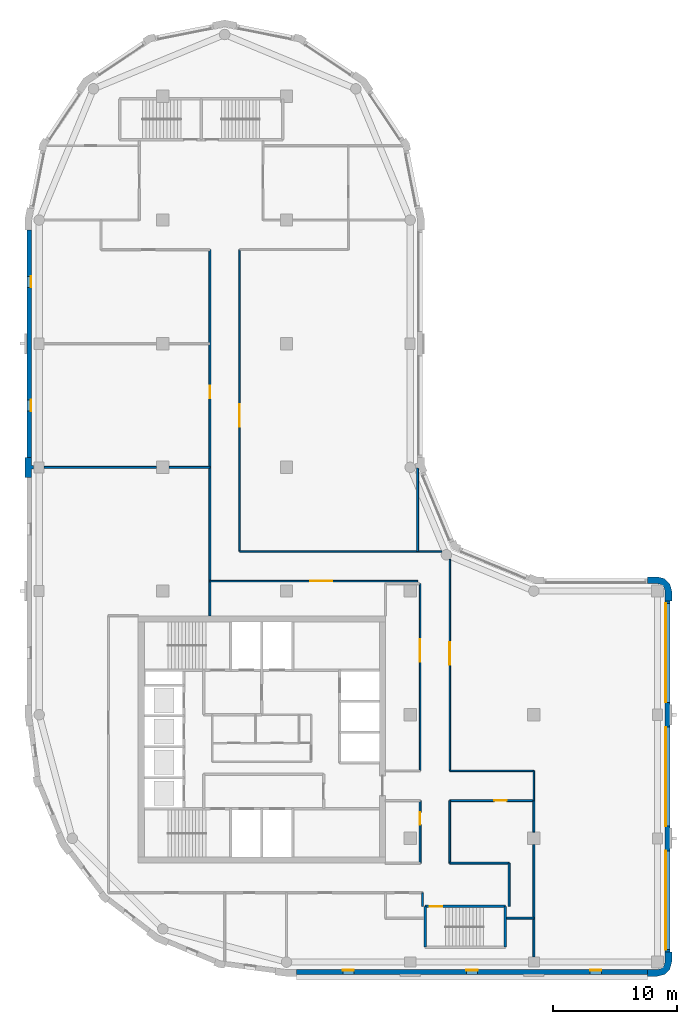
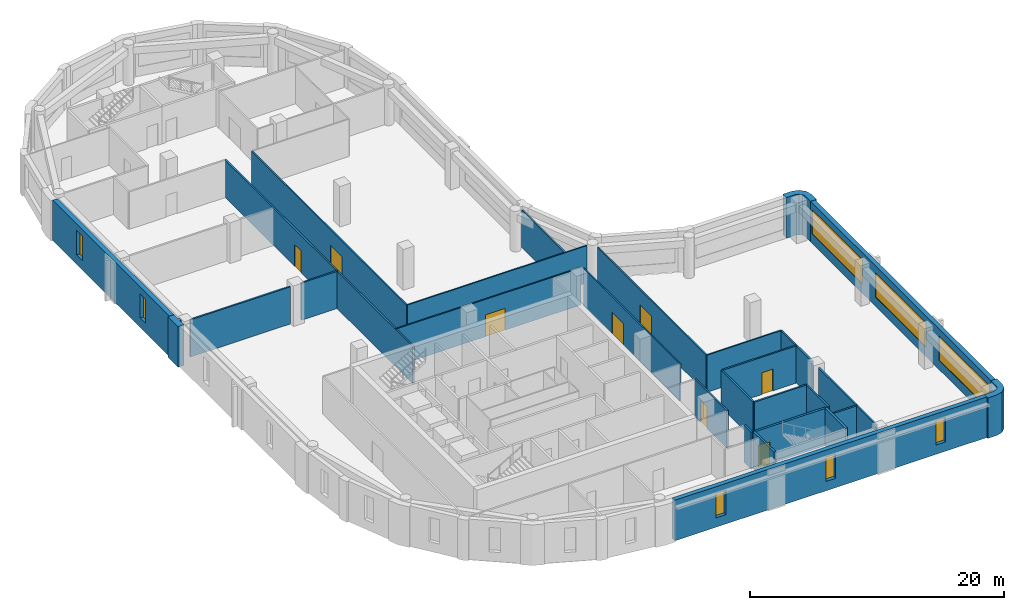
# One storey, part 4 of 9: 29 walls, 8 doors, 8 windows, 16 openings.
"""IFC4 building model written with IfcOpenShell, lengths in metres."""

from ifc_helpers import new_model, si_unit, direction, frame, frame_2d, origin, place, context, subcontext, project, spatial, polyline, rectangle, outline, extrude, material, layer, layer_set, type_object, element, fill, save


model = new_model("IFC4")

# Units and contexts
model_context = context("Model", 3, precision=1e-05, world=origin(), true_north=direction((0.0, 1.0)))
body_context = subcontext(model_context, "Body", "Model", "MODEL_VIEW")
ifc_project = project(units=[si_unit("LENGTHUNIT", "METRE"), si_unit("AREAUNIT", "SQUARE_METRE"), si_unit("VOLUMEUNIT", "CUBIC_METRE"), si_unit("PLANEANGLEUNIT", "RADIAN"), si_unit("MASSUNIT", "GRAM", prefix="KILO")], contexts=[model_context])

# Site, building, storey
site_placement = place(None, origin())
site = spatial("IfcSite", under=ifc_project, at=site_placement, CompositionType="ELEMENT")
building_placement = place(site_placement, origin())
building = spatial("IfcBuilding", under=site, at=building_placement, Name="Qaws Garden Tower", CompositionType="ELEMENT")
storey_placement = place(building_placement, frame((0.0, 0.0, 259.199951171875)))
storey = spatial("IfcBuildingStorey", under=building, at=storey_placement, Name="L62", CompositionType="ELEMENT", Elevation=259.199951171875)

# Walls
ifc_material_1 = material(Name="Clay facing brick masonry", Category="masonry")
ifc_layer_1 = layer(ifc_material_1, 0.550048828125)
ifc_layer_set_1 = layer_set([ifc_layer_1], Name="Clay facing brick masonry")
wall_type_1 = type_object("IfcWallType", Name="Brick corner pier 550 x 2400", PredefinedType="SOLIDWALL", material=ifc_layer_set_1)
placement = place(storey_placement, origin())
element("IfcWall", 1, at=placement, inside=storey, type_object=wall_type_1, Name="E-L62-pier-03", PredefinedType="SOLIDWALL", context=body_context, shape_type="SweptSolid", body=[
    extrude(outline(polyline([(49.199951171875, -1.0), (49.199951171875, -1.14990234375), (50.0, -1.14990234375), (50.574951171875, -0.995849609375), (50.995849609375, -0.574951171875), (51.14990234375, 0.0), (51.14990234375, 0.800048828125), (51.0, 0.800048828125), (50.60009765625, 0.800048828125), (50.60009765625, 0.0), (50.51953125, -0.300048828125), (50.300048828125, -0.51953125), (50.0, -0.60009765625), (49.199951171875, -0.60009765625), (49.199951171875, -1.0)])), origin(), (0.0, 0.0, 1.0), 3.900146484375),
])
element("IfcWall", 2, at=placement, inside=storey, type_object=wall_type_1, Name="E-L62-pier-06", PredefinedType="SOLIDWALL", context=body_context, shape_type="SweptSolid", body=[
    extrude(outline(polyline([(51.0, 29.199951171875), (51.14990234375, 29.199951171875), (51.14990234375, 30.0), (50.995849609375, 30.574951171875), (50.574951171875, 30.995849609375), (50.0, 31.14990234375), (49.199951171875, 31.14990234375), (49.199951171875, 31.0), (49.199951171875, 30.60009765625), (50.0, 30.60009765625), (50.300048828125, 30.51953125), (50.51953125, 30.300048828125), (50.60009765625, 30.0), (50.60009765625, 29.199951171875), (51.0, 29.199951171875)])), origin(), (0.0, 0.0, 1.0), 3.900146484375),
])

# Wall, openings, windows
ifc_material_2 = material(Name="Clay facing brick masonry", Category="masonry")
ifc_layer_2 = layer(ifc_material_2, 0.39990234375)
ifc_layer_set_2 = layer_set([ifc_layer_2], Name="Clay facing brick masonry")
wall_type_2 = type_object("IfcWallType", Name="Brick infill wall 400", PredefinedType="SOLIDWALL", material=ifc_layer_set_2)
wall_3_placement = place(storey_placement, frame((20.800048828125, -0.800048828125, 0.0), z_axis=(0.0, 0.0, 1.0), x_axis=(1.0, 0.0, 0.0)))
wall_3 = element("IfcWall", 3, at=wall_3_placement, inside=storey, type_object=wall_type_2, Name="E-L62-infill-00", PredefinedType="SOLIDWALL", context=body_context, shape_type="SweptSolid", body=[
    extrude(rectangle(XDim=28.39990234375, YDim=0.39990234375, at=frame_2d((14.199951171875, 0.0))), origin(), (0.0, 0.0, 1.0), 3.900146484375),
])
opening_1_placement = place(wall_3_placement, frame((3.75, 0.0, 0.89990234375)))
opening_1 = element("IfcOpeningElement", 4, at=opening_1_placement, cuts=wall_3, Name="Opening W09", PredefinedType="OPENING", context=body_context, shape_type="SweptSolid", body=[
    extrude(rectangle(XDim=0.89990234375, YDim=2.35009765625, at=frame_2d((0.449951171875, 1.175048828125))), frame((0.0, 0.2099609375, 0.0), z_axis=(0.0, -1.0, 0.0), x_axis=(1.0, 0.0, 0.0)), (0.0, 0.0, 1.0), 0.419921875),
])
opening_2_placement = place(wall_3_placement, frame((13.75, 0.0, 0.89990234375)))
opening_2 = element("IfcOpeningElement", 5, at=opening_2_placement, cuts=wall_3, Name="Opening W09", PredefinedType="OPENING", context=body_context, shape_type="SweptSolid", body=[
    extrude(rectangle(XDim=0.89990234375, YDim=2.35009765625, at=frame_2d((0.449951171875, 1.175048828125))), frame((0.0, 0.2099609375, 0.0), z_axis=(0.0, -1.0, 0.0), x_axis=(1.0, 0.0, 0.0)), (0.0, 0.0, 1.0), 0.419921875),
])
opening_3_placement = place(wall_3_placement, frame((23.75, 0.0, 0.89990234375)))
opening_3 = element("IfcOpeningElement", 6, at=opening_3_placement, cuts=wall_3, Name="Opening W09", PredefinedType="OPENING", context=body_context, shape_type="SweptSolid", body=[
    extrude(rectangle(XDim=0.89990234375, YDim=2.35009765625, at=frame_2d((0.449951171875, 1.175048828125))), frame((0.0, 0.2099609375, 0.0), z_axis=(0.0, -1.0, 0.0), x_axis=(1.0, 0.0, 0.0)), (0.0, 0.0, 1.0), 0.419921875),
])
ifc_material_3 = material(Name="Aluminium framed window, clear glazing", Category="aluminium")
window_type_1 = type_object("IfcWindowType", Name="Slit window 900 x 2350", PartitioningType="SINGLE_PANEL", PredefinedType="WINDOW", material=ifc_material_3)
window_1_placement = place(opening_1_placement, origin())
window_1 = element("IfcWindow", 7, at=window_1_placement, inside=storey, type_object=window_type_1, Name="E-L62-window-00-0", OverallHeight=2.35009765625, OverallWidth=0.89990234375, PartitioningType="SINGLE_PANEL", PredefinedType="WINDOW", context=body_context, shape_type="SweptSolid", body=[
    extrude(rectangle(XDim=0.89990234375, YDim=2.35009765625, at=frame_2d((0.449951171875, 1.175048828125))), frame((0.0, 0.159912109375, 0.0), z_axis=(0.0, -1.0, 0.0), x_axis=(1.0, 0.0, 0.0)), (0.0, 0.0, 1.0), 0.06005859375),
])
fill(opening_1, window_1)
window_2_placement = place(opening_2_placement, origin())
window_2 = element("IfcWindow", 8, at=window_2_placement, inside=storey, type_object=window_type_1, Name="E-L62-window-01-0", OverallHeight=2.35009765625, OverallWidth=0.89990234375, PartitioningType="SINGLE_PANEL", PredefinedType="WINDOW", context=body_context, shape_type="SweptSolid", body=[
    extrude(rectangle(XDim=0.89990234375, YDim=2.35009765625, at=frame_2d((0.449951171875, 1.175048828125))), frame((0.0, 0.159912109375, 0.0), z_axis=(0.0, -1.0, 0.0), x_axis=(1.0, 0.0, 0.0)), (0.0, 0.0, 1.0), 0.06005859375),
])
fill(opening_2, window_2)
window_3_placement = place(opening_3_placement, origin())
window_3 = element("IfcWindow", 9, at=window_3_placement, inside=storey, type_object=window_type_1, Name="E-L62-window-02-0", OverallHeight=2.35009765625, OverallWidth=0.89990234375, PartitioningType="SINGLE_PANEL", PredefinedType="WINDOW", context=body_context, shape_type="SweptSolid", body=[
    extrude(rectangle(XDim=0.89990234375, YDim=2.35009765625, at=frame_2d((0.449951171875, 1.175048828125))), frame((0.0, 0.159912109375, 0.0), z_axis=(0.0, -1.0, 0.0), x_axis=(1.0, 0.0, 0.0)), (0.0, 0.0, 1.0), 0.06005859375),
])
fill(opening_3, window_3)

wall_4_placement = place(storey_placement, frame((50.800048828125, 0.800048828125, 0.0), z_axis=(0.0, 0.0, 1.0), x_axis=(0.0, 1.0, 0.0)))
wall_4 = element("IfcWall", 10, at=wall_4_placement, inside=storey, type_object=wall_type_2, Name="E-L62-infill-03", PredefinedType="SOLIDWALL", context=body_context, shape_type="SweptSolid", body=[
    extrude(rectangle(XDim=28.39990234375, YDim=0.39990234375, at=frame_2d((14.199951171875, 0.0))), origin(), (0.0, 0.0, 1.0), 3.900146484375),
])
opening_4_placement = place(wall_4_placement, frame((0.199951171875, 0.0, 0.89990234375)))
opening_4 = element("IfcOpeningElement", 11, at=opening_4_placement, cuts=wall_4, Name="Opening W01", PredefinedType="OPENING", context=body_context, shape_type="SweptSolid", body=[
    extrude(rectangle(XDim=8.0, YDim=2.35009765625, at=frame_2d((4.0, 1.175048828125))), frame((0.0, 0.2099609375, 0.0), z_axis=(0.0, -1.0, 0.0), x_axis=(1.0, 0.0, 0.0)), (0.0, 0.0, 1.0), 0.419921875),
])
opening_5_placement = place(wall_4_placement, frame((10.199951171875, 0.0, 0.89990234375)))
opening_5 = element("IfcOpeningElement", 12, at=opening_5_placement, cuts=wall_4, Name="Opening W01", PredefinedType="OPENING", context=body_context, shape_type="SweptSolid", body=[
    extrude(rectangle(XDim=8.0, YDim=2.35009765625, at=frame_2d((4.0, 1.175048828125))), frame((0.0, 0.2099609375, 0.0), z_axis=(0.0, -1.0, 0.0), x_axis=(1.0, 0.0, 0.0)), (0.0, 0.0, 1.0), 0.419921875),
])
opening_6_placement = place(wall_4_placement, frame((20.199951171875, 0.0, 0.89990234375)))
opening_6 = element("IfcOpeningElement", 13, at=opening_6_placement, cuts=wall_4, Name="Opening W01", PredefinedType="OPENING", context=body_context, shape_type="SweptSolid", body=[
    extrude(rectangle(XDim=8.0, YDim=2.35009765625, at=frame_2d((4.0, 1.175048828125))), frame((0.0, 0.2099609375, 0.0), z_axis=(0.0, -1.0, 0.0), x_axis=(1.0, 0.0, 0.0)), (0.0, 0.0, 1.0), 0.419921875),
])
ifc_material_4 = material(Name="Aluminium framed window, clear glazing", Category="aluminium")
window_type_2 = type_object("IfcWindowType", Name="Ribbon window 8000 x 2350", PartitioningType="DOUBLE_PANEL_VERTICAL", PredefinedType="WINDOW", material=ifc_material_4)
window_4_placement = place(opening_4_placement, origin())
window_4 = element("IfcWindow", 14, at=window_4_placement, inside=storey, type_object=window_type_2, Name="E-L62-window-03-0", OverallHeight=2.35009765625, OverallWidth=8.0, PartitioningType="SINGLE_PANEL", PredefinedType="WINDOW", context=body_context, shape_type="SweptSolid", body=[
    extrude(rectangle(XDim=8.0, YDim=2.35009765625, at=frame_2d((4.0, 1.175048828125))), frame((0.0, 0.159912109375, 0.0), z_axis=(0.0, -1.0, 0.0), x_axis=(1.0, 0.0, 0.0)), (0.0, 0.0, 1.0), 0.06005859375),
])
fill(opening_4, window_4)
window_5_placement = place(opening_5_placement, origin())
window_5 = element("IfcWindow", 15, at=window_5_placement, inside=storey, type_object=window_type_2, Name="E-L62-window-04-0", OverallHeight=2.35009765625, OverallWidth=8.0, PartitioningType="SINGLE_PANEL", PredefinedType="WINDOW", context=body_context, shape_type="SweptSolid", body=[
    extrude(rectangle(XDim=8.0, YDim=2.35009765625, at=frame_2d((4.0, 1.175048828125))), frame((0.0, 0.159912109375, 0.0), z_axis=(0.0, -1.0, 0.0), x_axis=(1.0, 0.0, 0.0)), (0.0, 0.0, 1.0), 0.06005859375),
])
fill(opening_5, window_5)
window_6_placement = place(opening_6_placement, origin())
window_6 = element("IfcWindow", 16, at=window_6_placement, inside=storey, type_object=window_type_2, Name="E-L62-window-05-0", OverallHeight=2.35009765625, OverallWidth=8.0, PartitioningType="SINGLE_PANEL", PredefinedType="WINDOW", context=body_context, shape_type="SweptSolid", body=[
    extrude(rectangle(XDim=8.0, YDim=2.35009765625, at=frame_2d((4.0, 1.175048828125))), frame((0.0, 0.159912109375, 0.0), z_axis=(0.0, -1.0, 0.0), x_axis=(1.0, 0.0, 0.0)), (0.0, 0.0, 1.0), 0.06005859375),
])
fill(opening_6, window_6)

wall_5_placement = place(storey_placement, frame((-0.800048828125, 59.199951171875, 0.0), z_axis=(0.0, 0.0, 1.0), x_axis=(0.0, -1.0, 0.0)))
wall_5 = element("IfcWall", 17, at=wall_5_placement, inside=storey, type_object=wall_type_2, Name="E-L62-infill-19", PredefinedType="SOLIDWALL", context=body_context, shape_type="SweptSolid", body=[
    extrude(rectangle(XDim=18.39990234375, YDim=0.39990234375, at=frame_2d((9.199951171875, 0.0))), origin(), (0.0, 0.0, 1.0), 3.900146484375),
])
opening_7_placement = place(wall_5_placement, frame((3.75, 0.0, 0.89990234375)))
opening_7 = element("IfcOpeningElement", 18, at=opening_7_placement, cuts=wall_5, Name="Opening W09", PredefinedType="OPENING", context=body_context, shape_type="SweptSolid", body=[
    extrude(rectangle(XDim=0.89990234375, YDim=2.35009765625, at=frame_2d((0.449951171875, 1.175048828125))), frame((0.0, 0.2099609375, 0.0), z_axis=(0.0, -1.0, 0.0), x_axis=(1.0, 0.0, 0.0)), (0.0, 0.0, 1.0), 0.419921875),
])
opening_8_placement = place(wall_5_placement, frame((13.75, 0.0, 0.89990234375)))
opening_8 = element("IfcOpeningElement", 19, at=opening_8_placement, cuts=wall_5, Name="Opening W09", PredefinedType="OPENING", context=body_context, shape_type="SweptSolid", body=[
    extrude(rectangle(XDim=0.89990234375, YDim=2.35009765625, at=frame_2d((0.449951171875, 1.175048828125))), frame((0.0, 0.2099609375, 0.0), z_axis=(0.0, -1.0, 0.0), x_axis=(1.0, 0.0, 0.0)), (0.0, 0.0, 1.0), 0.419921875),
])
window_7_placement = place(opening_7_placement, origin())
window_7 = element("IfcWindow", 20, at=window_7_placement, inside=storey, type_object=window_type_1, Name="E-L62-window-19-0", OverallHeight=2.35009765625, OverallWidth=0.89990234375, PartitioningType="SINGLE_PANEL", PredefinedType="WINDOW", context=body_context, shape_type="SweptSolid", body=[
    extrude(rectangle(XDim=0.89990234375, YDim=2.35009765625, at=frame_2d((0.449951171875, 1.175048828125))), frame((0.0, 0.159912109375, 0.0), z_axis=(0.0, -1.0, 0.0), x_axis=(1.0, 0.0, 0.0)), (0.0, 0.0, 1.0), 0.06005859375),
])
fill(opening_7, window_7)
window_8_placement = place(opening_8_placement, origin())
window_8 = element("IfcWindow", 21, at=window_8_placement, inside=storey, type_object=window_type_1, Name="E-L62-window-20-0", OverallHeight=2.35009765625, OverallWidth=0.89990234375, PartitioningType="SINGLE_PANEL", PredefinedType="WINDOW", context=body_context, shape_type="SweptSolid", body=[
    extrude(rectangle(XDim=0.89990234375, YDim=2.35009765625, at=frame_2d((0.449951171875, 1.175048828125))), frame((0.0, 0.159912109375, 0.0), z_axis=(0.0, -1.0, 0.0), x_axis=(1.0, 0.0, 0.0)), (0.0, 0.0, 1.0), 0.06005859375),
])
fill(opening_8, window_8)

# Wall
ifc_material_5 = material(Name="Clay facing brick masonry", Category="masonry")
ifc_layer_3 = layer(ifc_material_5, 0.550048828125)
ifc_layer_set_3 = layer_set([ifc_layer_3], Name="Clay facing brick masonry")
wall_type_3 = type_object("IfcWallType", Name="Brick pier 550 x 1600", PredefinedType="SOLIDWALL", material=ifc_layer_set_3)
element("IfcWall", 22, at=placement, inside=storey, type_object=wall_type_3, Name="E-L62-pier-21", PredefinedType="SOLIDWALL", context=body_context, shape_type="SweptSolid", body=[
    extrude(outline(polyline([(-0.60009765625, 39.199951171875), (-0.60009765625, 39.85009765625), (-0.449951171875, 39.85009765625), (-0.449951171875, 40.14990234375), (-0.60009765625, 40.14990234375), (-0.60009765625, 40.800048828125), (-1.0, 40.800048828125), (-1.14990234375, 40.800048828125), (-1.14990234375, 40.0), (-1.14990234375, 39.199951171875), (-1.0, 39.199951171875), (-0.60009765625, 39.199951171875)])), origin(), (0.0, 0.0, 1.0), 3.900146484375),
])

# Wall, opening, door
ifc_material_6 = material(Name="Concrete C60", Category="concrete")
ifc_layer_4 = layer(ifc_material_6, 0.199951171875)
ifc_layer_set_4 = layer_set([ifc_layer_4], Name="Concrete C60")
wall_type_4 = type_object("IfcWallType", Name="Core shaft wall 200 C60", PredefinedType="SHEAR", material=ifc_layer_set_4)
wall_7_placement = place(storey_placement, frame((31.199951171875, 4.5, 0.0), z_axis=(0.0, 0.0, 1.0), x_axis=(1.0, 0.0, 0.0)))
wall_7 = element("IfcWall", 23, at=wall_7_placement, inside=storey, type_object=wall_type_4, Name="Shaft wall", PredefinedType="SHEAR", context=body_context, shape_type="SweptSolid", body=[
    extrude(rectangle(XDim=6.5, YDim=0.199951171875, at=frame_2d((3.25, 0.0))), origin(), (0.0, 0.0, 1.0), 3.580078125),
])
opening_9_placement = place(wall_7_placement, frame((0.375, 0.0, 0.0)))
opening_9 = element("IfcOpeningElement", 24, at=opening_9_placement, cuts=wall_7, Name="Opening SD12", PredefinedType="OPENING", context=body_context, shape_type="SweptSolid", body=[
    extrude(rectangle(XDim=1.0, YDim=2.10009765625, at=frame_2d((0.5, 1.050048828125))), frame((0.0, 0.10986328125, 0.0), z_axis=(0.0, -1.0, 0.0), x_axis=(1.0, 0.0, 0.0)), (0.0, 0.0, 1.0), 0.219970703125),
])
ifc_material_7 = material(Name="Steel S235", Category="steel")
door_type_1 = type_object("IfcDoorType", Name="Stair door 1000x2100", OperationType="SINGLE_SWING_RIGHT", PredefinedType="DOOR", material=ifc_material_7)
door_1_placement = place(opening_9_placement, frame((1.0, 0.0, 0.0), z_axis=(0.0, 0.0, 1.0), x_axis=(-1.0, 0.0, 0.0)))
door_1 = element("IfcDoor", 25, at=door_1_placement, inside=storey, type_object=door_type_1, Name="Stair 5 door", OperationType="SINGLE_SWING_RIGHT", OverallHeight=2.10009765625, OverallWidth=1.0, PredefinedType="DOOR", context=body_context, shape_type="SweptSolid", body=[
    extrude(rectangle(XDim=1.0, YDim=2.10009765625, at=frame_2d((0.5, 1.050048828125))), frame((0.0, 0.02490234375, 0.0), z_axis=(0.0, -1.0, 0.0), x_axis=(1.0, 0.0, 0.0)), (0.0, 0.0, 1.0), 0.050048828125),
])
fill(opening_9, door_1)

# Walls
for number, where, z_axis, x_axis, name in (
    (26, (31.199951171875, 1.199951171875, 0.0), (0.0, 0.0, 1.0), (0.0, 1.0, 0.0), "Shaft wall"),
    (27, (37.699951171875, 1.199951171875, 0.0), (0.0, 0.0, 1.0), (0.0, 1.0, 0.0), "Shaft wall"),
):
    element("IfcWall", number, at=place(storey_placement, frame(where, z_axis=z_axis, x_axis=x_axis)), inside=storey, type_object=wall_type_4, Name=name, PredefinedType="SHEAR", context=body_context, shape_type="SweptSolid", body=[
        extrude(rectangle(XDim=3.300048828125, YDim=0.199951171875, at=frame_2d((1.64990234375, 0.0))), origin(), (0.0, 0.0, 1.0), 3.580078125),
    ])

# Wall, opening, door
ifc_material_8 = material(Name="Glass and aluminium framing", Category="aluminium")
ifc_layer_5 = layer(ifc_material_8, 0.1201171875)
ifc_layer_set_5 = layer_set([ifc_layer_5], Name="Glass and aluminium framing")
wall_type_5 = type_object("IfcWallType", Name="GLAZED PARTITION 120 EI 30", PredefinedType="PARTITIONING", material=ifc_layer_set_5)
wall_8_placement = place(storey_placement, frame((16.199951171875, 33.199951171875, 0.0), z_axis=(0.0, 0.0, 1.0), x_axis=(0.0, 1.0, 0.0)))
wall_8 = element("IfcWall", 28, at=wall_8_placement, inside=storey, type_object=wall_type_5, Name="O-L62-wall-036", PredefinedType="PARTITIONING", context=body_context, shape_type="SweptSolid", body=[
    extrude(rectangle(XDim=24.400146484375, YDim=0.1201171875, at=frame_2d((12.2001953125, 0.0))), origin(), (0.0, 0.0, 1.0), 3.580078125),
])
opening_10_placement = place(wall_8_placement, frame((10.10009765625, 0.0, 0.0)))
opening_10 = element("IfcOpeningElement", 29, at=opening_10_placement, cuts=wall_8, Name="Opening C104", PredefinedType="OPENING", context=body_context, shape_type="SweptSolid", body=[
    extrude(rectangle(XDim=1.800048828125, YDim=2.10009765625, at=frame_2d((0.89990234375, 1.050048828125))), frame((0.0, 0.070068359375, 0.0), z_axis=(0.0, -1.0, 0.0), x_axis=(1.0, 0.0, 0.0)), (0.0, 0.0, 1.0), 0.14013671875),
])
ifc_material_9 = material(Name="Timber door leaf", Category="wood")
door_type_2 = type_object("IfcDoorType", Name="DOUBLE DOOR 1800 X 2100", OperationType="DOUBLE_DOOR_SINGLE_SWING", PredefinedType="DOOR", material=ifc_material_9)
door_2_placement = place(opening_10_placement, frame((1.800048828125, 0.0, 0.0), z_axis=(0.0, 0.0, 1.0), x_axis=(-1.0, 0.0, 0.0)))
door_2 = element("IfcDoor", 30, at=door_2_placement, inside=storey, type_object=door_type_2, Name="O-L62-door-004", OperationType="DOUBLE_DOOR_SINGLE_SWING", OverallHeight=2.10009765625, OverallWidth=1.800048828125, PredefinedType="DOOR", context=body_context, shape_type="SweptSolid", body=[
    extrude(rectangle(XDim=1.800048828125, YDim=2.10009765625, at=frame_2d((0.89990234375, 1.050048828125))), frame((0.0, 0.02490234375, 0.0), z_axis=(0.0, -1.0, 0.0), x_axis=(1.0, 0.0, 0.0)), (0.0, 0.0, 1.0), 0.050048828125),
])
fill(opening_10, door_2)

wall_9_placement = place(storey_placement, frame((30.800048828125, 15.449951171875, 0.0), z_axis=(0.0, 0.0, 1.0), x_axis=(0.0, 1.0, 0.0)))
wall_9 = element("IfcWall", 31, at=wall_9_placement, inside=storey, type_object=wall_type_5, Name="O-L62-wall-039", PredefinedType="PARTITIONING", context=body_context, shape_type="SweptSolid", body=[
    extrude(rectangle(XDim=15.150146484375, YDim=0.1201171875, at=frame_2d((7.5751953125, 0.0))), origin(), (0.0, 0.0, 1.0), 3.580078125),
])
opening_11_placement = place(wall_9_placement, frame((8.85009765625, 0.0, 0.0)))
opening_11 = element("IfcOpeningElement", 32, at=opening_11_placement, cuts=wall_9, Name="Opening C109", PredefinedType="OPENING", context=body_context, shape_type="SweptSolid", body=[
    extrude(rectangle(XDim=1.800048828125, YDim=2.10009765625, at=frame_2d((0.89990234375, 1.050048828125))), frame((0.0, 0.070068359375, 0.0), z_axis=(0.0, -1.0, 0.0), x_axis=(1.0, 0.0, 0.0)), (0.0, 0.0, 1.0), 0.14013671875),
])
door_3_placement = place(opening_11_placement, origin())
door_3 = element("IfcDoor", 33, at=door_3_placement, inside=storey, type_object=door_type_2, Name="O-L62-door-009", OperationType="DOUBLE_DOOR_SINGLE_SWING", OverallHeight=2.10009765625, OverallWidth=1.800048828125, PredefinedType="DOOR", context=body_context, shape_type="SweptSolid", body=[
    extrude(rectangle(XDim=1.800048828125, YDim=2.10009765625, at=frame_2d((0.89990234375, 1.050048828125))), frame((0.0, 0.02490234375, 0.0), z_axis=(0.0, -1.0, 0.0), x_axis=(1.0, 0.0, 0.0)), (0.0, 0.0, 1.0), 0.050048828125),
])
fill(opening_11, door_3)

wall_10_placement = place(storey_placement, frame((33.199951171875, 15.449951171875, 0.0), z_axis=(0.0, 0.0, 1.0), x_axis=(0.0, 1.0, 0.0)))
wall_10 = element("IfcWall", 34, at=wall_10_placement, inside=storey, type_object=wall_type_5, Name="O-L62-wall-040", PredefinedType="PARTITIONING", context=body_context, shape_type="SweptSolid", body=[
    extrude(rectangle(XDim=17.110107421875, YDim=0.1201171875, at=frame_2d((8.55517578125, 0.0))), origin(), (0.0, 0.0, 1.0), 3.580078125),
])
opening_12_placement = place(wall_10_placement, frame((8.60009765625, 0.0, 0.0)))
opening_12 = element("IfcOpeningElement", 35, at=opening_12_placement, cuts=wall_10, Name="Opening C110", PredefinedType="OPENING", context=body_context, shape_type="SweptSolid", body=[
    extrude(rectangle(XDim=1.800048828125, YDim=2.10009765625, at=frame_2d((0.89990234375, 1.050048828125))), frame((0.0, 0.070068359375, 0.0), z_axis=(0.0, -1.0, 0.0), x_axis=(1.0, 0.0, 0.0)), (0.0, 0.0, 1.0), 0.14013671875),
])
door_4_placement = place(opening_12_placement, frame((1.800048828125, 0.0, 0.0), z_axis=(0.0, 0.0, 1.0), x_axis=(-1.0, 0.0, 0.0)))
door_4 = element("IfcDoor", 36, at=door_4_placement, inside=storey, type_object=door_type_2, Name="O-L62-door-010", OperationType="DOUBLE_DOOR_SINGLE_SWING", OverallHeight=2.10009765625, OverallWidth=1.800048828125, PredefinedType="DOOR", context=body_context, shape_type="SweptSolid", body=[
    extrude(rectangle(XDim=1.800048828125, YDim=2.10009765625, at=frame_2d((0.89990234375, 1.050048828125))), frame((0.0, 0.02490234375, 0.0), z_axis=(0.0, -1.0, 0.0), x_axis=(1.0, 0.0, 0.0)), (0.0, 0.0, 1.0), 0.050048828125),
])
fill(opening_12, door_4)

# Walls
wall_11_placement = place(storey_placement, frame((40.0, 13.050048828125, 0.0), z_axis=(0.0, 0.0, 1.0), x_axis=(0.0, 1.0, 0.0)))
element("IfcWall", 37, at=wall_11_placement, inside=storey, type_object=wall_type_5, Name="O-L62-wall-041", PredefinedType="PARTITIONING", context=body_context, shape_type="SweptSolid", body=[
    extrude(rectangle(XDim=2.39990234375, YDim=0.1201171875, at=frame_2d((1.199951171875, 0.0))), origin(), (0.0, 0.0, 1.0), 3.580078125),
])
wall_12_placement = place(storey_placement, frame((33.199951171875, 15.449951171875, 0.0), z_axis=(0.0, 0.0, 1.0), x_axis=(1.0, 0.0, 0.0)))
element("IfcWall", 38, at=wall_12_placement, inside=storey, type_object=wall_type_5, Name="O-L62-wall-043", PredefinedType="PARTITIONING", context=body_context, shape_type="SweptSolid", body=[
    extrude(rectangle(XDim=6.800048828125, YDim=0.1201171875, at=frame_2d((3.39990234375, 0.0))), origin(), (0.0, 0.0, 1.0), 3.580078125),
])

# Wall, opening, door
wall_13_placement = place(storey_placement, frame((13.802001953125, 30.800048828125, 0.0), z_axis=(0.0, 0.0, 1.0), x_axis=(1.0, 0.0, 0.0)))
wall_13 = element("IfcWall", 39, at=wall_13_placement, inside=storey, type_object=wall_type_5, Name="O-L62-wall-044", PredefinedType="PARTITIONING", context=body_context, shape_type="SweptSolid", body=[
    extrude(rectangle(XDim=16.798095703125, YDim=0.1201171875, at=frame_2d((8.39892578125, 0.0))), origin(), (0.0, 0.0, 1.0), 3.580078125),
])
opening_13_placement = place(wall_13_placement, frame((8.10009765625, 0.0, 0.0)))
opening_13 = element("IfcOpeningElement", 40, at=opening_13_placement, cuts=wall_13, Name="Opening C107", PredefinedType="OPENING", context=body_context, shape_type="SweptSolid", body=[
    extrude(rectangle(XDim=1.800048828125, YDim=2.10009765625, at=frame_2d((0.89990234375, 1.050048828125))), frame((0.0, 0.070068359375, 0.0), z_axis=(0.0, -1.0, 0.0), x_axis=(1.0, 0.0, 0.0)), (0.0, 0.0, 1.0), 0.14013671875),
])
door_5_placement = place(opening_13_placement, frame((1.800048828125, 0.0, 0.0), z_axis=(0.0, 0.0, 1.0), x_axis=(-1.0, 0.0, 0.0)))
door_5 = element("IfcDoor", 41, at=door_5_placement, inside=storey, type_object=door_type_2, Name="O-L62-door-007", OperationType="DOUBLE_DOOR_SINGLE_SWING", OverallHeight=2.10009765625, OverallWidth=1.800048828125, PredefinedType="DOOR", context=body_context, shape_type="SweptSolid", body=[
    extrude(rectangle(XDim=1.800048828125, YDim=2.10009765625, at=frame_2d((0.89990234375, 1.050048828125))), frame((0.0, 0.02490234375, 0.0), z_axis=(0.0, -1.0, 0.0), x_axis=(1.0, 0.0, 0.0)), (0.0, 0.0, 1.0), 0.050048828125),
])
fill(opening_13, door_5)

# Wall
wall_14_placement = place(storey_placement, frame((16.199951171875, 33.199951171875, 0.0), z_axis=(0.0, 0.0, 1.0), x_axis=(1.0, 0.0, 0.0)))
element("IfcWall", 42, at=wall_14_placement, inside=storey, type_object=wall_type_5, Name="O-L62-wall-045", PredefinedType="PARTITIONING", context=body_context, shape_type="SweptSolid", body=[
    extrude(rectangle(XDim=16.360107421875, YDim=0.1201171875, at=frame_2d((8.18017578125, 0.0))), origin(), (0.0, 0.0, 1.0), 3.580078125),
])

# Wall, opening, door
ifc_material_10 = material(Name="Gypsum board partition")
ifc_layer_6 = layer(ifc_material_10, 0.14990234375)
ifc_layer_set_6 = layer_set([ifc_layer_6], Name="Gypsum board partition")
wall_type_6 = type_object("IfcWallType", Name="PARTITION 150 EI 60", PredefinedType="PARTITIONING", material=ifc_layer_set_6)
wall_15_placement = place(storey_placement, frame((13.800048828125, 28.0, 0.0), z_axis=(0.0, 0.0, 1.0), x_axis=(0.0, 1.0, 0.0)))
wall_15 = element("IfcWall", 43, at=wall_15_placement, inside=storey, type_object=wall_type_6, Name="O-L62-wall-006", PredefinedType="PARTITIONING", context=body_context, shape_type="SweptSolid", body=[
    extrude(rectangle(XDim=29.60009765625, YDim=0.14990234375, at=frame_2d((14.800048828125, 0.0))), origin(), (0.0, 0.0, 1.0), 3.580078125),
])
opening_14_placement = place(wall_15_placement, frame((17.60107421875, 0.0, 0.0)))
opening_14 = element("IfcOpeningElement", 44, at=opening_14_placement, cuts=wall_15, Name="Opening C115", PredefinedType="OPENING", context=body_context, shape_type="SweptSolid", body=[
    extrude(rectangle(XDim=1.0, YDim=2.10009765625, at=frame_2d((0.5, 1.050048828125))), frame((0.0, 0.0849609375, 0.0), z_axis=(0.0, -1.0, 0.0), x_axis=(1.0, 0.0, 0.0)), (0.0, 0.0, 1.0), 0.169921875),
])
ifc_material_11 = material(Name="Timber door leaf", Category="wood")
door_type_3 = type_object("IfcDoorType", Name="TENANCY ENTRANCE DOOR 1000 X 2100", OperationType="SINGLE_SWING_LEFT", PredefinedType="DOOR", material=ifc_material_11)
door_6_placement = place(opening_14_placement, origin())
door_6 = element("IfcDoor", 45, at=door_6_placement, inside=storey, type_object=door_type_3, Name="O-L62-door-015", OperationType="SINGLE_SWING_LEFT", OverallHeight=2.10009765625, OverallWidth=1.0, PredefinedType="DOOR", context=body_context, shape_type="SweptSolid", body=[
    extrude(rectangle(XDim=1.0, YDim=2.10009765625, at=frame_2d((0.5, 1.050048828125))), frame((0.0, 0.02490234375, 0.0), z_axis=(0.0, -1.0, 0.0), x_axis=(1.0, 0.0, 0.0)), (0.0, 0.0, 1.0), 0.050048828125),
])
fill(opening_14, door_6)

# Wall
wall_16_placement = place(storey_placement, frame((30.60009765625, 33.199951171875, 0.0), z_axis=(0.0, 0.0, 1.0), x_axis=(0.0, 1.0, 0.0)))
element("IfcWall", 46, at=wall_16_placement, inside=storey, type_object=wall_type_6, Name="O-L62-wall-012", PredefinedType="PARTITIONING", context=body_context, shape_type="SweptSolid", body=[
    extrude(rectangle(XDim=6.73828125, YDim=0.14990234375, at=frame_2d((3.369140625, 0.0))), origin(), (0.0, 0.0, 1.0), 3.580078125),
])

# Wall, opening, door
wall_17_placement = place(storey_placement, frame((30.800048828125, 8.0, 0.0), z_axis=(0.0, 0.0, 1.0), x_axis=(0.0, 1.0, 0.0)))
wall_17 = element("IfcWall", 47, at=wall_17_placement, inside=storey, type_object=wall_type_6, Name="O-L62-wall-013", PredefinedType="PARTITIONING", context=body_context, shape_type="SweptSolid", body=[
    extrude(rectangle(XDim=5.050048828125, YDim=0.14990234375, at=frame_2d((2.52490234375, 0.0))), origin(), (0.0, 0.0, 1.0), 3.580078125),
])
opening_15_placement = place(wall_17_placement, frame((3.10009765625, 0.0, 0.0)))
opening_15 = element("IfcOpeningElement", 48, at=opening_15_placement, cuts=wall_17, Name="Opening C113", PredefinedType="OPENING", context=body_context, shape_type="SweptSolid", body=[
    extrude(rectangle(XDim=1.0, YDim=2.10009765625, at=frame_2d((0.5, 1.050048828125))), frame((0.0, 0.0849609375, 0.0), z_axis=(0.0, -1.0, 0.0), x_axis=(1.0, 0.0, 0.0)), (0.0, 0.0, 1.0), 0.169921875),
])
door_7_placement = place(opening_15_placement, origin())
door_7 = element("IfcDoor", 49, at=door_7_placement, inside=storey, type_object=door_type_3, Name="O-L62-door-013", OperationType="SINGLE_SWING_RIGHT", OverallHeight=2.10009765625, OverallWidth=1.0, PredefinedType="DOOR", context=body_context, shape_type="SweptSolid", body=[
    extrude(rectangle(XDim=1.0, YDim=2.10009765625, at=frame_2d((0.5, 1.050048828125))), frame((0.0, 0.02490234375, 0.0), z_axis=(0.0, -1.0, 0.0), x_axis=(1.0, 0.0, 0.0)), (0.0, 0.0, 1.0), 0.050048828125),
])
fill(opening_15, door_7)

# Walls
wall_18_placement = place(storey_placement, frame((31.0, 4.5, 0.0), z_axis=(0.0, 0.0, 1.0), x_axis=(0.0, 1.0, 0.0)))
element("IfcWall", 50, at=wall_18_placement, inside=storey, type_object=wall_type_6, Name="O-L62-wall-014", PredefinedType="PARTITIONING", context=body_context, shape_type="SweptSolid", body=[
    extrude(rectangle(XDim=1.10009765625, YDim=0.14990234375, at=frame_2d((0.550048828125, 0.0))), origin(), (0.0, 0.0, 1.0), 3.580078125),
])
wall_19_placement = place(storey_placement, frame((33.199951171875, 8.0, 0.0), z_axis=(0.0, 0.0, 1.0), x_axis=(0.0, 1.0, 0.0)))
element("IfcWall", 51, at=wall_19_placement, inside=storey, type_object=wall_type_6, Name="O-L62-wall-015", PredefinedType="PARTITIONING", context=body_context, shape_type="SweptSolid", body=[
    extrude(rectangle(XDim=5.050048828125, YDim=0.14990234375, at=frame_2d((2.52490234375, 0.0))), origin(), (0.0, 0.0, 1.0), 3.580078125),
])
wall_20_placement = place(storey_placement, frame((38.0, 4.5, 0.0), z_axis=(0.0, 0.0, 1.0), x_axis=(0.0, 1.0, 0.0)))
element("IfcWall", 52, at=wall_20_placement, inside=storey, type_object=wall_type_6, Name="O-L62-wall-016", PredefinedType="PARTITIONING", context=body_context, shape_type="SweptSolid", body=[
    extrude(rectangle(XDim=3.5, YDim=0.14990234375, at=frame_2d((1.75, 0.0))), origin(), (0.0, 0.0, 1.0), 3.580078125),
])
wall_21_placement = place(storey_placement, frame((40.0, 0.39990234375, 0.0), z_axis=(0.0, 0.0, 1.0), x_axis=(0.0, 1.0, 0.0)))
element("IfcWall", 53, at=wall_21_placement, inside=storey, type_object=wall_type_6, Name="O-L62-wall-017", PredefinedType="PARTITIONING", context=body_context, shape_type="SweptSolid", body=[
    extrude(rectangle(XDim=9.10009765625, YDim=0.14990234375, at=frame_2d((4.550048828125, 0.0))), origin(), (0.0, 0.0, 1.0), 3.580078125),
])
wall_22_placement = place(storey_placement, frame((40.0, 10.5, 0.0), z_axis=(0.0, 0.0, 1.0), x_axis=(0.0, 1.0, 0.0)))
element("IfcWall", 54, at=wall_22_placement, inside=storey, type_object=wall_type_6, Name="O-L62-wall-018", PredefinedType="PARTITIONING", context=body_context, shape_type="SweptSolid", body=[
    extrude(rectangle(XDim=2.550048828125, YDim=0.14990234375, at=frame_2d((1.27490234375, 0.0))), origin(), (0.0, 0.0, 1.0), 3.580078125),
])
wall_23_placement = place(storey_placement, frame((37.800048828125, 3.550048828125, 0.0), z_axis=(0.0, 0.0, 1.0), x_axis=(1.0, 0.0, 0.0)))
element("IfcWall", 55, at=wall_23_placement, inside=storey, type_object=wall_type_6, Name="O-L62-wall-020", PredefinedType="PARTITIONING", context=body_context, shape_type="SweptSolid", body=[
    extrude(rectangle(XDim=2.199951171875, YDim=0.14990234375, at=frame_2d((1.10009765625, 0.0))), origin(), (0.0, 0.0, 1.0), 3.580078125),
])
wall_24_placement = place(storey_placement, frame((33.199951171875, 8.0, 0.0), z_axis=(0.0, 0.0, 1.0), x_axis=(1.0, 0.0, 0.0)))
element("IfcWall", 56, at=wall_24_placement, inside=storey, type_object=wall_type_6, Name="O-L62-wall-023", PredefinedType="PARTITIONING", context=body_context, shape_type="SweptSolid", body=[
    extrude(rectangle(XDim=4.800048828125, YDim=0.14990234375, at=frame_2d((2.39990234375, 0.0))), origin(), (0.0, 0.0, 1.0), 3.580078125),
])

# Wall, opening, door
wall_25_placement = place(storey_placement, frame((33.199951171875, 13.050048828125, 0.0), z_axis=(0.0, 0.0, 1.0), x_axis=(1.0, 0.0, 0.0)))
wall_25 = element("IfcWall", 57, at=wall_25_placement, inside=storey, type_object=wall_type_6, Name="O-L62-wall-025", PredefinedType="PARTITIONING", context=body_context, shape_type="SweptSolid", body=[
    extrude(rectangle(XDim=6.800048828125, YDim=0.14990234375, at=frame_2d((3.39990234375, 0.0))), origin(), (0.0, 0.0, 1.0), 3.580078125),
])
opening_16_placement = place(wall_25_placement, frame((3.60009765625, 0.0, 0.0)))
opening_16 = element("IfcOpeningElement", 58, at=opening_16_placement, cuts=wall_25, Name="Opening C112", PredefinedType="OPENING", context=body_context, shape_type="SweptSolid", body=[
    extrude(rectangle(XDim=1.0, YDim=2.10009765625, at=frame_2d((0.5, 1.050048828125))), frame((0.0, 0.0849609375, 0.0), z_axis=(0.0, -1.0, 0.0), x_axis=(1.0, 0.0, 0.0)), (0.0, 0.0, 1.0), 0.169921875),
])
door_8_placement = place(opening_16_placement, frame((1.0, 0.0, 0.0), z_axis=(0.0, 0.0, 1.0), x_axis=(-1.0, 0.0, 0.0)))
door_8 = element("IfcDoor", 59, at=door_8_placement, inside=storey, type_object=door_type_3, Name="O-L62-door-012", OperationType="SINGLE_SWING_RIGHT", OverallHeight=2.10009765625, OverallWidth=1.0, PredefinedType="DOOR", context=body_context, shape_type="SweptSolid", body=[
    extrude(rectangle(XDim=1.0, YDim=2.10009765625, at=frame_2d((0.5, 1.050048828125))), frame((0.0, 0.02490234375, 0.0), z_axis=(0.0, -1.0, 0.0), x_axis=(1.0, 0.0, 0.0)), (0.0, 0.0, 1.0), 0.050048828125),
])
fill(opening_16, door_8)

# Walls
wall_26_placement = place(storey_placement, frame((0.39990234375, 40.0, 0.0), z_axis=(0.0, 0.0, 1.0), x_axis=(1.0, 0.0, 0.0)))
element("IfcWall", 60, at=wall_26_placement, inside=storey, type_object=wall_type_6, Name="O-L62-wall-028", PredefinedType="PARTITIONING", context=body_context, shape_type="SweptSolid", body=[
    extrude(rectangle(XDim=9.10009765625, YDim=0.14990234375, at=frame_2d((4.550048828125, 0.0))), origin(), (0.0, 0.0, 1.0), 3.580078125),
])
wall_27_placement = place(storey_placement, frame((10.5, 40.0, 0.0), z_axis=(0.0, 0.0, 1.0), x_axis=(1.0, 0.0, 0.0)))
element("IfcWall", 61, at=wall_27_placement, inside=storey, type_object=wall_type_6, Name="O-L62-wall-029", PredefinedType="PARTITIONING", context=body_context, shape_type="SweptSolid", body=[
    extrude(rectangle(XDim=3.300048828125, YDim=0.14990234375, at=frame_2d((1.64990234375, 0.0))), origin(), (0.0, 0.0, 1.0), 3.580078125),
])

save(model, "model.ifc")
